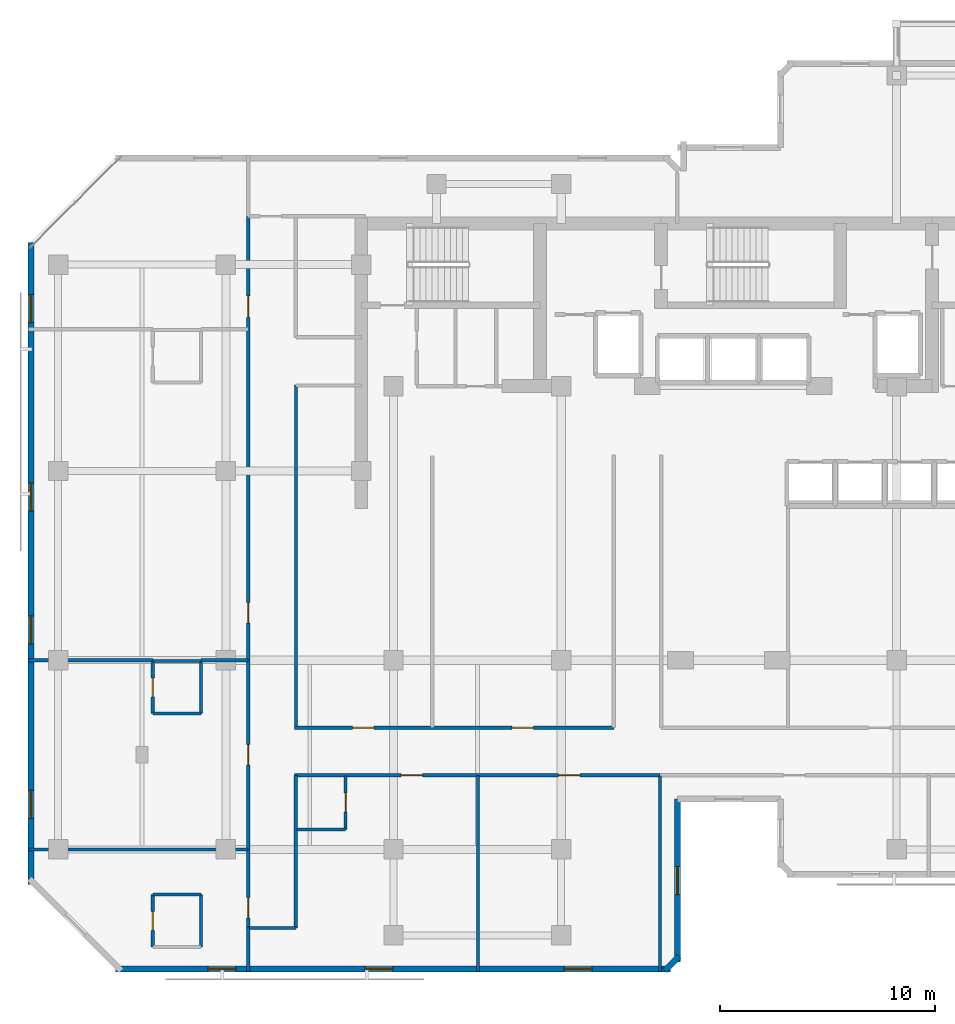
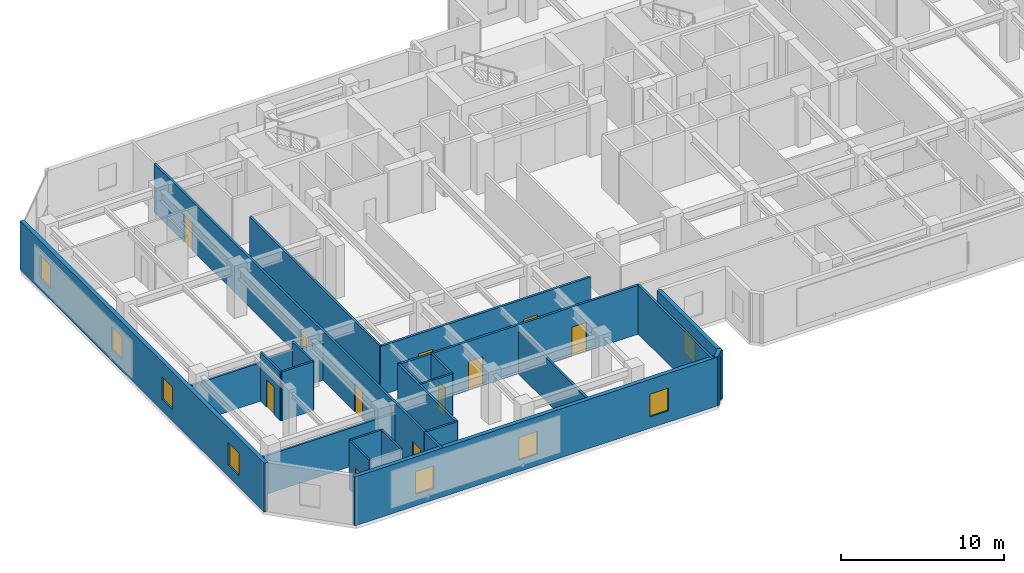
# One storey, part 4 of 10: 25 walls, 11 doors, 8 windows, 19 openings.
"""IFC4 building model written with IfcOpenShell, lengths in metres."""

from ifc_helpers import new_model, si_unit, direction, frame, frame_2d, origin, place, context, subcontext, project, spatial, rectangle, extrude, material, layer, layer_set, type_object, element, fill, save


model = new_model("IFC4")

# Units and contexts
model_context = context("Model", 3, precision=1e-05, world=origin(), true_north=direction((0.0, 1.0)))
body_context = subcontext(model_context, "Body", "Model", "MODEL_VIEW")
ifc_project = project(units=[si_unit("LENGTHUNIT", "METRE"), si_unit("AREAUNIT", "SQUARE_METRE"), si_unit("VOLUMEUNIT", "CUBIC_METRE"), si_unit("PLANEANGLEUNIT", "RADIAN"), si_unit("MASSUNIT", "GRAM", prefix="KILO")], contexts=[model_context])

# Site, building, storey
site_placement = place(None, origin())
site = spatial("IfcSite", under=ifc_project, at=site_placement, CompositionType="ELEMENT")
building_placement = place(site_placement, origin())
building = spatial("IfcBuilding", under=site, at=building_placement, Name="Kestravale Grand Hotel", CompositionType="ELEMENT")
storey_placement = place(building_placement, frame((0.0, 0.0, 220.199951171875)))
storey = spatial("IfcBuildingStorey", under=building, at=storey_placement, Name="L55", CompositionType="ELEMENT", Elevation=220.199951171875)

# Wall, openings, windows
ifc_material_1 = material(Name="Precast concrete f'c 45 MPa", Category="concrete")
ifc_layer_1 = layer(ifc_material_1, 0.280029296875)
ifc_layer_set_1 = layer_set([ifc_layer_1], Name="EW-PREC-280")
wall_type_1 = type_object("IfcWallType", Name="EW-PREC-280", PredefinedType="SOLIDWALL", material=ifc_layer_set_1)
wall_1_placement = place(storey_placement, frame((10.4599609375, 5.639892578125, 0.0), z_axis=(0.0, 0.0, 1.0), x_axis=(1.0, 0.0, 0.0)))
wall_1 = element("IfcWall", 1, at=wall_1_placement, inside=storey, type_object=wall_type_1, Name="L55 fluted precast facade wall 1", PredefinedType="SOLIDWALL", context=body_context, shape_type="SweptSolid", body=[
    extrude(rectangle(XDim=25.830078125, YDim=0.280029296875, at=frame_2d((12.9150390625, 0.0))), origin(), (0.0, 0.0, 1.0), 3.650146484375),
])
opening_1_placement = place(wall_1_placement, frame((4.304931640625, 0.0, 0.85009765625)))
opening_1 = element("IfcOpeningElement", 2, at=opening_1_placement, cuts=wall_1, Name="Opening W-GUEST-1300", PredefinedType="OPENING", context=body_context, shape_type="SweptSolid", body=[
    extrude(rectangle(XDim=1.300048828125, YDim=1.699951171875, at=frame_2d((0.64990234375, 0.85009765625))), frame((0.0, 0.14990234375, 0.0), z_axis=(0.0, -1.0, 0.0), x_axis=(1.0, 0.0, 0.0)), (0.0, 0.0, 1.0), 0.300048828125),
])
opening_2_placement = place(wall_1_placement, frame((11.614990234375, 0.0, 0.85009765625)))
opening_2 = element("IfcOpeningElement", 3, at=opening_2_placement, cuts=wall_1, Name="Opening W-GUEST-1300", PredefinedType="OPENING", context=body_context, shape_type="SweptSolid", body=[
    extrude(rectangle(XDim=1.300048828125, YDim=1.699951171875, at=frame_2d((0.64990234375, 0.85009765625))), frame((0.0, 0.14990234375, 0.0), z_axis=(0.0, -1.0, 0.0), x_axis=(1.0, 0.0, 0.0)), (0.0, 0.0, 1.0), 0.300048828125),
])
opening_3_placement = place(wall_1_placement, frame((20.875, 0.0, 0.85009765625)))
opening_3 = element("IfcOpeningElement", 4, at=opening_3_placement, cuts=wall_1, Name="Opening W-GUEST-1300", PredefinedType="OPENING", context=body_context, shape_type="SweptSolid", body=[
    extrude(rectangle(XDim=1.300048828125, YDim=1.699951171875, at=frame_2d((0.64990234375, 0.85009765625))), frame((0.0, 0.14990234375, 0.0), z_axis=(0.0, -1.0, 0.0), x_axis=(1.0, 0.0, 0.0)), (0.0, 0.0, 1.0), 0.300048828125),
])
ifc_material_2 = material(Name="Insulated low-E double glazing in aluminium frame", Category="aluminium")
window_type = type_object("IfcWindowType", Name="W-GUEST-1300", PartitioningType="SINGLE_PANEL", PredefinedType="WINDOW", material=ifc_material_2)
window_1_placement = place(opening_1_placement, origin())
window_1 = element("IfcWindow", 5, at=window_1_placement, inside=storey, type_object=window_type, Name="L55 exterior window 1.1", OverallHeight=1.699951171875, OverallWidth=1.300048828125, PartitioningType="SINGLE_PANEL", PredefinedType="WINDOW", context=body_context, shape_type="SweptSolid", body=[
    extrude(rectangle(XDim=1.300048828125, YDim=1.699951171875, at=frame_2d((0.64990234375, 0.85009765625))), frame((0.0, 0.030029296875, 0.0), z_axis=(0.0, -1.0, 0.0), x_axis=(1.0, 0.0, 0.0)), (0.0, 0.0, 1.0), 0.06005859375),
])
fill(opening_1, window_1)
window_2_placement = place(opening_2_placement, origin())
window_2 = element("IfcWindow", 6, at=window_2_placement, inside=storey, type_object=window_type, Name="L55 exterior window 1.2", OverallHeight=1.699951171875, OverallWidth=1.300048828125, PartitioningType="SINGLE_PANEL", PredefinedType="WINDOW", context=body_context, shape_type="SweptSolid", body=[
    extrude(rectangle(XDim=1.300048828125, YDim=1.699951171875, at=frame_2d((0.64990234375, 0.85009765625))), frame((0.0, 0.030029296875, 0.0), z_axis=(0.0, -1.0, 0.0), x_axis=(1.0, 0.0, 0.0)), (0.0, 0.0, 1.0), 0.06005859375),
])
fill(opening_2, window_2)
window_3_placement = place(opening_3_placement, origin())
window_3 = element("IfcWindow", 7, at=window_3_placement, inside=storey, type_object=window_type, Name="L55 exterior window 1.3", OverallHeight=1.699951171875, OverallWidth=1.300048828125, PartitioningType="SINGLE_PANEL", PredefinedType="WINDOW", context=body_context, shape_type="SweptSolid", body=[
    extrude(rectangle(XDim=1.300048828125, YDim=1.699951171875, at=frame_2d((0.64990234375, 0.85009765625))), frame((0.0, 0.030029296875, 0.0), z_axis=(0.0, -1.0, 0.0), x_axis=(1.0, 0.0, 0.0)), (0.0, 0.0, 1.0), 0.06005859375),
])
fill(opening_3, window_3)

# Wall
wall_2_placement = place(storey_placement, frame((36.022705078125, 5.57080078125, 0.0), z_axis=(0.0, 0.0, 1.0), x_axis=(0.707106781187, 0.707106781187, 0.0)))
element("IfcWall", 8, at=wall_2_placement, inside=storey, type_object=wall_type_1, Name="L55 fluted precast facade wall 2", PredefinedType="SOLIDWALL", context=body_context, shape_type="SweptSolid", body=[
    extrude(rectangle(XDim=0.928466796875, YDim=0.280029296875, at=frame_2d((0.46435546875, 0.0))), origin(), (0.0, 0.0, 1.0), 3.650146484375),
])

# Wall, opening, window
wall_3_placement = place(storey_placement, frame((36.610107421875, 5.9599609375, 0.0), z_axis=(0.0, 0.0, 1.0), x_axis=(0.0, 1.0, 0.0)))
wall_3 = element("IfcWall", 9, at=wall_3_placement, inside=storey, type_object=wall_type_1, Name="L55 fluted precast facade wall 3", PredefinedType="SOLIDWALL", context=body_context, shape_type="SweptSolid", body=[
    extrude(rectangle(XDim=7.580078125, YDim=0.280029296875, at=frame_2d((3.7900390625, 0.0))), origin(), (0.0, 0.0, 1.0), 3.650146484375),
])
opening_4_placement = place(wall_3_placement, frame((3.139892578125, 0.0, 0.85009765625)))
opening_4 = element("IfcOpeningElement", 10, at=opening_4_placement, cuts=wall_3, Name="Opening W-GUEST-1300", PredefinedType="OPENING", context=body_context, shape_type="SweptSolid", body=[
    extrude(rectangle(XDim=1.300048828125, YDim=1.699951171875, at=frame_2d((0.64990234375, 0.85009765625))), frame((0.0, 0.14990234375, 0.0), z_axis=(0.0, -1.0, 0.0), x_axis=(1.0, 0.0, 0.0)), (0.0, 0.0, 1.0), 0.300048828125),
])
window_4_placement = place(opening_4_placement, origin())
window_4 = element("IfcWindow", 11, at=window_4_placement, inside=storey, type_object=window_type, Name="L55 exterior window 3.1", OverallHeight=1.699951171875, OverallWidth=1.300048828125, PartitioningType="SINGLE_PANEL", PredefinedType="WINDOW", context=body_context, shape_type="SweptSolid", body=[
    extrude(rectangle(XDim=1.300048828125, YDim=1.699951171875, at=frame_2d((0.64990234375, 0.85009765625))), frame((0.0, 0.030029296875, 0.0), z_axis=(0.0, -1.0, 0.0), x_axis=(1.0, 0.0, 0.0)), (0.0, 0.0, 1.0), 0.06005859375),
])
fill(opening_4, window_4)

# Wall, openings, windows
wall_4_placement = place(storey_placement, frame((6.5400390625, 39.43994140625, 0.0), z_axis=(0.0, 0.0, 1.0), x_axis=(0.0, -1.0, 0.0)))
wall_4 = element("IfcWall", 12, at=wall_4_placement, inside=storey, type_object=wall_type_1, Name="L55 fluted precast facade wall 19", PredefinedType="SOLIDWALL", context=body_context, shape_type="SweptSolid", body=[
    extrude(rectangle(XDim=29.8798828125, YDim=0.280029296875, at=frame_2d((14.93994140625, 0.0))), origin(), (0.0, 0.0, 1.0), 3.650146484375),
])
opening_5_placement = place(wall_4_placement, frame((2.43505859375, 0.0, 0.85009765625)))
opening_5 = element("IfcOpeningElement", 13, at=opening_5_placement, cuts=wall_4, Name="Opening W-GUEST-1300", PredefinedType="OPENING", context=body_context, shape_type="SweptSolid", body=[
    extrude(rectangle(XDim=1.300048828125, YDim=1.699951171875, at=frame_2d((0.64990234375, 0.85009765625))), frame((0.0, 0.14990234375, 0.0), z_axis=(0.0, -1.0, 0.0), x_axis=(1.0, 0.0, 0.0)), (0.0, 0.0, 1.0), 0.300048828125),
])
opening_6_placement = place(wall_4_placement, frame((11.205078125, 0.0, 0.85009765625)))
opening_6 = element("IfcOpeningElement", 14, at=opening_6_placement, cuts=wall_4, Name="Opening W-GUEST-1300", PredefinedType="OPENING", context=body_context, shape_type="SweptSolid", body=[
    extrude(rectangle(XDim=1.300048828125, YDim=1.699951171875, at=frame_2d((0.64990234375, 0.85009765625))), frame((0.0, 0.14990234375, 0.0), z_axis=(0.0, -1.0, 0.0), x_axis=(1.0, 0.0, 0.0)), (0.0, 0.0, 1.0), 0.300048828125),
])
opening_7_placement = place(wall_4_placement, frame((17.375, 0.0, 0.85009765625)))
opening_7 = element("IfcOpeningElement", 15, at=opening_7_placement, cuts=wall_4, Name="Opening W-GUEST-1300", PredefinedType="OPENING", context=body_context, shape_type="SweptSolid", body=[
    extrude(rectangle(XDim=1.300048828125, YDim=1.699951171875, at=frame_2d((0.64990234375, 0.85009765625))), frame((0.0, 0.14990234375, 0.0), z_axis=(0.0, -1.0, 0.0), x_axis=(1.0, 0.0, 0.0)), (0.0, 0.0, 1.0), 0.300048828125),
])
opening_8_placement = place(wall_4_placement, frame((25.4951171875, 0.0, 0.85009765625)))
opening_8 = element("IfcOpeningElement", 16, at=opening_8_placement, cuts=wall_4, Name="Opening W-GUEST-1300", PredefinedType="OPENING", context=body_context, shape_type="SweptSolid", body=[
    extrude(rectangle(XDim=1.300048828125, YDim=1.699951171875, at=frame_2d((0.64990234375, 0.85009765625))), frame((0.0, 0.14990234375, 0.0), z_axis=(0.0, -1.0, 0.0), x_axis=(1.0, 0.0, 0.0)), (0.0, 0.0, 1.0), 0.300048828125),
])
window_5_placement = place(opening_5_placement, origin())
window_5 = element("IfcWindow", 17, at=window_5_placement, inside=storey, type_object=window_type, Name="L55 exterior window 19.1", OverallHeight=1.699951171875, OverallWidth=1.300048828125, PartitioningType="SINGLE_PANEL", PredefinedType="WINDOW", context=body_context, shape_type="SweptSolid", body=[
    extrude(rectangle(XDim=1.300048828125, YDim=1.699951171875, at=frame_2d((0.64990234375, 0.85009765625))), frame((0.0, 0.030029296875, 0.0), z_axis=(0.0, -1.0, 0.0), x_axis=(1.0, 0.0, 0.0)), (0.0, 0.0, 1.0), 0.06005859375),
])
fill(opening_5, window_5)
window_6_placement = place(opening_6_placement, origin())
window_6 = element("IfcWindow", 18, at=window_6_placement, inside=storey, type_object=window_type, Name="L55 exterior window 19.2", OverallHeight=1.699951171875, OverallWidth=1.300048828125, PartitioningType="SINGLE_PANEL", PredefinedType="WINDOW", context=body_context, shape_type="SweptSolid", body=[
    extrude(rectangle(XDim=1.300048828125, YDim=1.699951171875, at=frame_2d((0.64990234375, 0.85009765625))), frame((0.0, 0.030029296875, 0.0), z_axis=(0.0, -1.0, 0.0), x_axis=(1.0, 0.0, 0.0)), (0.0, 0.0, 1.0), 0.06005859375),
])
fill(opening_6, window_6)
window_7_placement = place(opening_7_placement, origin())
window_7 = element("IfcWindow", 19, at=window_7_placement, inside=storey, type_object=window_type, Name="L55 exterior window 19.3", OverallHeight=1.699951171875, OverallWidth=1.300048828125, PartitioningType="SINGLE_PANEL", PredefinedType="WINDOW", context=body_context, shape_type="SweptSolid", body=[
    extrude(rectangle(XDim=1.300048828125, YDim=1.699951171875, at=frame_2d((0.64990234375, 0.85009765625))), frame((0.0, 0.030029296875, 0.0), z_axis=(0.0, -1.0, 0.0), x_axis=(1.0, 0.0, 0.0)), (0.0, 0.0, 1.0), 0.06005859375),
])
fill(opening_7, window_7)
window_8_placement = place(opening_8_placement, origin())
window_8 = element("IfcWindow", 20, at=window_8_placement, inside=storey, type_object=window_type, Name="L55 exterior window 19.4", OverallHeight=1.699951171875, OverallWidth=1.300048828125, PartitioningType="SINGLE_PANEL", PredefinedType="WINDOW", context=body_context, shape_type="SweptSolid", body=[
    extrude(rectangle(XDim=1.300048828125, YDim=1.699951171875, at=frame_2d((0.64990234375, 0.85009765625))), frame((0.0, 0.030029296875, 0.0), z_axis=(0.0, -1.0, 0.0), x_axis=(1.0, 0.0, 0.0)), (0.0, 0.0, 1.0), 0.06005859375),
])
fill(opening_8, window_8)

# Wall, openings, doors
ifc_material_3 = material(Name="Acoustic fire-rated gypsum board partition", Category="other")
ifc_layer_2 = layer(ifc_material_3, 0.159912109375)
ifc_layer_set_2 = layer_set([ifc_layer_2], Name="IW-CORR-160")
wall_type_2 = type_object("IfcWallType", Name="IW-CORR-160", PredefinedType="PARTITIONING", material=ifc_layer_set_2)
wall_5_placement = place(storey_placement, frame((18.800048828125, 16.860107421875, 0.0), z_axis=(0.0, 0.0, 1.0), x_axis=(1.0, 0.0, 0.0)))
wall_5 = element("IfcWall", 21, at=wall_5_placement, inside=storey, type_object=wall_type_2, Name="W-L55-CW-N", PredefinedType="PARTITIONING", context=body_context, shape_type="SweptSolid", body=[
    extrude(rectangle(XDim=14.849853515625, YDim=0.159912109375, at=frame_2d((7.4248046875, 0.0))), origin(), (0.0, 0.0, 1.0), 3.650146484375),
])
opening_9_placement = place(wall_5_placement, frame((2.699951171875, 0.0, 0.0)))
opening_9 = element("IfcOpeningElement", 22, at=opening_9_placement, cuts=wall_5, Name="Opening D-GUEST-1000", PredefinedType="OPENING", context=body_context, shape_type="SweptSolid", body=[
    extrude(rectangle(XDim=1.0, YDim=2.14990234375, at=frame_2d((0.5, 1.074951171875))), frame((0.0, 0.08984375, 0.0), z_axis=(0.0, -1.0, 0.0), x_axis=(1.0, 0.0, 0.0)), (0.0, 0.0, 1.0), 0.179931640625),
])
opening_10_placement = place(wall_5_placement, frame((10.10009765625, 0.0, 0.0)))
opening_10 = element("IfcOpeningElement", 23, at=opening_10_placement, cuts=wall_5, Name="Opening D-GUEST-1000", PredefinedType="OPENING", context=body_context, shape_type="SweptSolid", body=[
    extrude(rectangle(XDim=1.0, YDim=2.14990234375, at=frame_2d((0.5, 1.074951171875))), frame((0.0, 0.08984375, 0.0), z_axis=(0.0, -1.0, 0.0), x_axis=(1.0, 0.0, 0.0)), (0.0, 0.0, 1.0), 0.179931640625),
])
ifc_material_4 = material(Name="Accessible walnut veneer hotel entrance fire door", Category="wood")
door_type_1 = type_object("IfcDoorType", Name="D-GUEST-1000", OperationType="NOTDEFINED", PredefinedType="DOOR", material=ifc_material_4)
door_1_placement = place(opening_9_placement, origin())
door_1 = element("IfcDoor", 24, at=door_1_placement, inside=storey, type_object=door_type_1, Name="D-L55-RECL-W1", OperationType="SINGLE_SWING_LEFT", OverallHeight=2.14990234375, OverallWidth=1.0, PredefinedType="DOOR", context=body_context, shape_type="SweptSolid", body=[
    extrude(rectangle(XDim=1.0, YDim=2.14990234375, at=frame_2d((0.5, 1.074951171875))), frame((0.0, 0.02490234375, 0.0), z_axis=(0.0, -1.0, 0.0), x_axis=(1.0, 0.0, 0.0)), (0.0, 0.0, 1.0), 0.050048828125),
])
fill(opening_9, door_1)
door_2_placement = place(opening_10_placement, origin())
door_2 = element("IfcDoor", 25, at=door_2_placement, inside=storey, type_object=door_type_1, Name="D-L55-RECL-W2", OperationType="SINGLE_SWING_RIGHT", OverallHeight=2.14990234375, OverallWidth=1.0, PredefinedType="DOOR", context=body_context, shape_type="SweptSolid", body=[
    extrude(rectangle(XDim=1.0, YDim=2.14990234375, at=frame_2d((0.5, 1.074951171875))), frame((0.0, 0.02490234375, 0.0), z_axis=(0.0, -1.0, 0.0), x_axis=(1.0, 0.0, 0.0)), (0.0, 0.0, 1.0), 0.050048828125),
])
fill(opening_10, door_2)

wall_6_placement = place(storey_placement, frame((18.800048828125, 14.639892578125, 0.0), z_axis=(0.0, 0.0, 1.0), x_axis=(1.0, 0.0, 0.0)))
wall_6 = element("IfcWall", 26, at=wall_6_placement, inside=storey, type_object=wall_type_2, Name="W-L55-CW-S", PredefinedType="PARTITIONING", context=body_context, shape_type="SweptSolid", body=[
    extrude(rectangle(XDim=17.0, YDim=0.159912109375, at=frame_2d((8.5, 0.0))), origin(), (0.0, 0.0, 1.0), 3.650146484375),
])
opening_11_placement = place(wall_6_placement, frame((4.949951171875, 0.0, 0.0)))
opening_11 = element("IfcOpeningElement", 27, at=opening_11_placement, cuts=wall_6, Name="Opening D-GUEST-1000", PredefinedType="OPENING", context=body_context, shape_type="SweptSolid", body=[
    extrude(rectangle(XDim=1.0, YDim=2.14990234375, at=frame_2d((0.5, 1.074951171875))), frame((0.0, 0.08984375, 0.0), z_axis=(0.0, -1.0, 0.0), x_axis=(1.0, 0.0, 0.0)), (0.0, 0.0, 1.0), 0.179931640625),
])
opening_12_placement = place(wall_6_placement, frame((12.264892578125, 0.0, 0.0)))
opening_12 = element("IfcOpeningElement", 28, at=opening_12_placement, cuts=wall_6, Name="Opening D-GUEST-1000", PredefinedType="OPENING", context=body_context, shape_type="SweptSolid", body=[
    extrude(rectangle(XDim=1.0, YDim=2.14990234375, at=frame_2d((0.5, 1.074951171875))), frame((0.0, 0.08984375, 0.0), z_axis=(0.0, -1.0, 0.0), x_axis=(1.0, 0.0, 0.0)), (0.0, 0.0, 1.0), 0.179931640625),
])
door_3_placement = place(opening_11_placement, origin())
door_3 = element("IfcDoor", 29, at=door_3_placement, inside=storey, type_object=door_type_1, Name="D-L55-U01-ENT", OperationType="SINGLE_SWING_RIGHT", OverallHeight=2.14990234375, OverallWidth=1.0, PredefinedType="DOOR", context=body_context, shape_type="SweptSolid", body=[
    extrude(rectangle(XDim=1.0, YDim=2.14990234375, at=frame_2d((0.5, 1.074951171875))), frame((0.0, 0.02490234375, 0.0), z_axis=(0.0, -1.0, 0.0), x_axis=(1.0, 0.0, 0.0)), (0.0, 0.0, 1.0), 0.050048828125),
])
fill(opening_11, door_3)
door_4_placement = place(opening_12_placement, origin())
door_4 = element("IfcDoor", 30, at=door_4_placement, inside=storey, type_object=door_type_1, Name="D-L55-AMW", OperationType="SINGLE_SWING_LEFT", OverallHeight=2.14990234375, OverallWidth=1.0, PredefinedType="DOOR", context=body_context, shape_type="SweptSolid", body=[
    extrude(rectangle(XDim=1.0, YDim=2.14990234375, at=frame_2d((0.5, 1.074951171875))), frame((0.0, 0.02490234375, 0.0), z_axis=(0.0, -1.0, 0.0), x_axis=(1.0, 0.0, 0.0)), (0.0, 0.0, 1.0), 0.050048828125),
])
fill(opening_12, door_4)

wall_7_placement = place(storey_placement, frame((16.639892578125, 7.550048828125, 0.0), z_axis=(0.0, 0.0, 1.0), x_axis=(0.0, 1.0, 0.0)))
wall_7 = element("IfcWall", 31, at=wall_7_placement, inside=storey, type_object=wall_type_2, Name="W-L55-SW-W", PredefinedType="PARTITIONING", context=body_context, shape_type="SweptSolid", body=[
    extrude(rectangle(XDim=33.099853515625, YDim=0.159912109375, at=frame_2d((16.5498046875, 0.0))), origin(), (0.0, 0.0, 1.0), 3.650146484375),
])
opening_13_placement = place(wall_7_placement, frame((0.4599609375, 0.0, 0.0)))
opening_13 = element("IfcOpeningElement", 32, at=opening_13_placement, cuts=wall_7, Name="Opening D-GUEST-950", PredefinedType="OPENING", context=body_context, shape_type="SweptSolid", body=[
    extrude(rectangle(XDim=0.949951171875, YDim=2.10009765625, at=frame_2d((0.47509765625, 1.050048828125))), frame((0.0, 0.08984375, 0.0), z_axis=(0.0, -1.0, 0.0), x_axis=(1.0, 0.0, 0.0)), (0.0, 0.0, 1.0), 0.179931640625),
])
opening_14_placement = place(wall_7_placement, frame((7.574951171875, 0.0, 0.0)))
opening_14 = element("IfcOpeningElement", 33, at=opening_14_placement, cuts=wall_7, Name="Opening D-GUEST-950", PredefinedType="OPENING", context=body_context, shape_type="SweptSolid", body=[
    extrude(rectangle(XDim=0.949951171875, YDim=2.10009765625, at=frame_2d((0.47509765625, 1.050048828125))), frame((0.0, 0.08984375, 0.0), z_axis=(0.0, -1.0, 0.0), x_axis=(1.0, 0.0, 0.0)), (0.0, 0.0, 1.0), 0.179931640625),
])
opening_15_placement = place(wall_7_placement, frame((14.178466796875, 0.0, 0.0)))
opening_15 = element("IfcOpeningElement", 34, at=opening_15_placement, cuts=wall_7, Name="Opening D-GUEST-950", PredefinedType="OPENING", context=body_context, shape_type="SweptSolid", body=[
    extrude(rectangle(XDim=0.949951171875, YDim=2.10009765625, at=frame_2d((0.47509765625, 1.050048828125))), frame((0.0, 0.08984375, 0.0), z_axis=(0.0, -1.0, 0.0), x_axis=(1.0, 0.0, 0.0)), (0.0, 0.0, 1.0), 0.179931640625),
])
opening_16_placement = place(wall_7_placement, frame((28.39990234375, 0.0, 0.0)))
opening_16 = element("IfcOpeningElement", 35, at=opening_16_placement, cuts=wall_7, Name="Opening D-GUEST-1000", PredefinedType="OPENING", context=body_context, shape_type="SweptSolid", body=[
    extrude(rectangle(XDim=1.0, YDim=2.14990234375, at=frame_2d((0.5, 1.074951171875))), frame((0.0, 0.08984375, 0.0), z_axis=(0.0, -1.0, 0.0), x_axis=(1.0, 0.0, 0.0)), (0.0, 0.0, 1.0), 0.179931640625),
])
door_5_placement = place(opening_16_placement, origin())
door_5 = element("IfcDoor", 36, at=door_5_placement, inside=storey, type_object=door_type_1, Name="D-L55-AMWW", OperationType="SINGLE_SWING_LEFT", OverallHeight=2.14990234375, OverallWidth=1.0, PredefinedType="DOOR", context=body_context, shape_type="SweptSolid", body=[
    extrude(rectangle(XDim=1.0, YDim=2.14990234375, at=frame_2d((0.5, 1.074951171875))), frame((0.0, 0.02490234375, 0.0), z_axis=(0.0, -1.0, 0.0), x_axis=(1.0, 0.0, 0.0)), (0.0, 0.0, 1.0), 0.050048828125),
])
fill(opening_16, door_5)
ifc_material_5 = material(Name="Walnut veneer hotel guestroom entrance fire door", Category="wood")
door_type_2 = type_object("IfcDoorType", Name="D-GUEST-950", OperationType="NOTDEFINED", PredefinedType="DOOR", material=ifc_material_5)
door_6_placement = place(opening_13_placement, origin())
door_6 = element("IfcDoor", 37, at=door_6_placement, inside=storey, type_object=door_type_2, Name="D-L55-U02-ENT", OperationType="SINGLE_SWING_RIGHT", OverallHeight=2.10009765625, OverallWidth=0.949951171875, PredefinedType="DOOR", context=body_context, shape_type="SweptSolid", body=[
    extrude(rectangle(XDim=0.949951171875, YDim=2.10009765625, at=frame_2d((0.47509765625, 1.050048828125))), frame((0.0, 0.02490234375, 0.0), z_axis=(0.0, -1.0, 0.0), x_axis=(1.0, 0.0, 0.0)), (0.0, 0.0, 1.0), 0.050048828125),
])
fill(opening_13, door_6)
door_7_placement = place(opening_14_placement, origin())
door_7 = element("IfcDoor", 38, at=door_7_placement, inside=storey, type_object=door_type_2, Name="D-L55-U03-ENT", OperationType="SINGLE_SWING_RIGHT", OverallHeight=2.10009765625, OverallWidth=0.949951171875, PredefinedType="DOOR", context=body_context, shape_type="SweptSolid", body=[
    extrude(rectangle(XDim=0.949951171875, YDim=2.10009765625, at=frame_2d((0.47509765625, 1.050048828125))), frame((0.0, 0.02490234375, 0.0), z_axis=(0.0, -1.0, 0.0), x_axis=(1.0, 0.0, 0.0)), (0.0, 0.0, 1.0), 0.050048828125),
])
fill(opening_14, door_7)
door_8_placement = place(opening_15_placement, origin())
door_8 = element("IfcDoor", 39, at=door_8_placement, inside=storey, type_object=door_type_2, Name="D-L55-U04-ENT", OperationType="SINGLE_SWING_RIGHT", OverallHeight=2.10009765625, OverallWidth=0.949951171875, PredefinedType="DOOR", context=body_context, shape_type="SweptSolid", body=[
    extrude(rectangle(XDim=0.949951171875, YDim=2.10009765625, at=frame_2d((0.47509765625, 1.050048828125))), frame((0.0, 0.02490234375, 0.0), z_axis=(0.0, -1.0, 0.0), x_axis=(1.0, 0.0, 0.0)), (0.0, 0.0, 1.0), 0.050048828125),
])
fill(opening_15, door_8)

# Wall
wall_8_placement = place(storey_placement, frame((18.860107421875, 7.550048828125, 0.0), z_axis=(0.0, 0.0, 1.0), x_axis=(0.0, 1.0, 0.0)))
element("IfcWall", 40, at=wall_8_placement, inside=storey, type_object=wall_type_2, Name="W-L55-SW-E", PredefinedType="PARTITIONING", context=body_context, shape_type="SweptSolid", body=[
    extrude(rectangle(XDim=7.08984375, YDim=0.159912109375, at=frame_2d((3.544921875, 0.0))), origin(), (0.0, 0.0, 1.0), 3.650146484375),
])

# Wall, opening, door
ifc_material_6 = material(Name="Moisture-resistant tile-backer plumbing chase wall", Category="other")
ifc_layer_3 = layer(ifc_material_6, 0.139892578125)
ifc_layer_set_3 = layer_set([ifc_layer_3], Name="IW-PLB-140")
wall_type_3 = type_object("IfcWallType", Name="IW-PLB-140", PredefinedType="PLUMBINGWALL", material=ifc_layer_set_3)
wall_9_placement = place(storey_placement, frame((21.169921875, 12.1298828125, 0.0), z_axis=(0.0, 0.0, 1.0), x_axis=(0.0, 1.0, 0.0)))
wall_9 = element("IfcWall", 41, at=wall_9_placement, inside=storey, type_object=wall_type_3, Name="W-L55-U01-BE", PredefinedType="PLUMBINGWALL", context=body_context, shape_type="SweptSolid", body=[
    extrude(rectangle(XDim=2.490234375, YDim=0.139892578125, at=frame_2d((1.2451171875, 0.0))), origin(), (0.0, 0.0, 1.0), 3.650146484375),
])
opening_17_placement = place(wall_9_placement, frame((0.804931640625, 0.0, 0.0)))
opening_17 = element("IfcOpeningElement", 42, at=opening_17_placement, cuts=wall_9, Name="Opening D-BATH-880", PredefinedType="OPENING", context=body_context, shape_type="SweptSolid", body=[
    extrude(rectangle(XDim=0.8798828125, YDim=2.050048828125, at=frame_2d((0.43994140625, 1.02490234375))), frame((0.0, 0.079833984375, 0.0), z_axis=(0.0, -1.0, 0.0), x_axis=(1.0, 0.0, 0.0)), (0.0, 0.0, 1.0), 0.159912109375),
])
ifc_material_7 = material(Name="Moisture-sealed walnut en-suite bathroom door", Category="wood")
door_type_3 = type_object("IfcDoorType", Name="D-BATH-880", OperationType="NOTDEFINED", PredefinedType="DOOR", material=ifc_material_7)
door_9_placement = place(opening_17_placement, origin())
door_9 = element("IfcDoor", 43, at=door_9_placement, inside=storey, type_object=door_type_3, Name="D-L55-U01-BATH", OperationType="SINGLE_SWING_LEFT", OverallHeight=2.050048828125, OverallWidth=0.8798828125, PredefinedType="DOOR", context=body_context, shape_type="SweptSolid", body=[
    extrude(rectangle(XDim=0.8798828125, YDim=2.050048828125, at=frame_2d((0.43994140625, 1.02490234375))), frame((0.0, 0.02490234375, 0.0), z_axis=(0.0, -1.0, 0.0), x_axis=(1.0, 0.0, 0.0)), (0.0, 0.0, 1.0), 0.050048828125),
])
fill(opening_17, door_9)

# Wall
wall_10_placement = place(storey_placement, frame((18.919921875, 12.1298828125, 0.0), z_axis=(0.0, 0.0, 1.0), x_axis=(1.0, 0.0, 0.0)))
element("IfcWall", 44, at=wall_10_placement, inside=storey, type_object=wall_type_3, Name="W-L55-U01-BS", PredefinedType="PLUMBINGWALL", context=body_context, shape_type="SweptSolid", body=[
    extrude(rectangle(XDim=2.25, YDim=0.139892578125, at=frame_2d((1.125, 0.0))), origin(), (0.0, 0.0, 1.0), 3.650146484375),
])

# Wall, opening, door
wall_11_placement = place(storey_placement, frame((12.199951171875, 6.64990234375, 0.0), z_axis=(0.0, 0.0, 1.0), x_axis=(0.0, 1.0, 0.0)))
wall_11 = element("IfcWall", 45, at=wall_11_placement, inside=storey, type_object=wall_type_3, Name="W-L55-U02-BW", PredefinedType="PLUMBINGWALL", context=body_context, shape_type="SweptSolid", body=[
    extrude(rectangle(XDim=2.4501953125, YDim=0.139892578125, at=frame_2d((1.22509765625, 0.0))), origin(), (0.0, 0.0, 1.0), 3.650146484375),
])
opening_18_placement = place(wall_11_placement, frame((0.784912109375, 0.0, 0.0)))
opening_18 = element("IfcOpeningElement", 46, at=opening_18_placement, cuts=wall_11, Name="Opening D-BATH-880", PredefinedType="OPENING", context=body_context, shape_type="SweptSolid", body=[
    extrude(rectangle(XDim=0.8798828125, YDim=2.050048828125, at=frame_2d((0.43994140625, 1.02490234375))), frame((0.0, 0.079833984375, 0.0), z_axis=(0.0, -1.0, 0.0), x_axis=(1.0, 0.0, 0.0)), (0.0, 0.0, 1.0), 0.159912109375),
])
door_10_placement = place(opening_18_placement, origin())
door_10 = element("IfcDoor", 47, at=door_10_placement, inside=storey, type_object=door_type_3, Name="D-L55-U02-BATH", OperationType="SINGLE_SWING_LEFT", OverallHeight=2.050048828125, OverallWidth=0.8798828125, PredefinedType="DOOR", context=body_context, shape_type="SweptSolid", body=[
    extrude(rectangle(XDim=0.8798828125, YDim=2.050048828125, at=frame_2d((0.43994140625, 1.02490234375))), frame((0.0, 0.02490234375, 0.0), z_axis=(0.0, -1.0, 0.0), x_axis=(1.0, 0.0, 0.0)), (0.0, 0.0, 1.0), 0.050048828125),
])
fill(opening_18, door_10)

# Walls
wall_12_placement = place(storey_placement, frame((14.449951171875, 6.64990234375, 0.0), z_axis=(0.0, 0.0, 1.0), x_axis=(0.0, 1.0, 0.0)))
element("IfcWall", 48, at=wall_12_placement, inside=storey, type_object=wall_type_3, Name="W-L55-U02-BE", PredefinedType="PLUMBINGWALL", context=body_context, shape_type="SweptSolid", body=[
    extrude(rectangle(XDim=2.4501953125, YDim=0.139892578125, at=frame_2d((1.22509765625, 0.0))), origin(), (0.0, 0.0, 1.0), 3.650146484375),
])
wall_13_placement = place(storey_placement, frame((12.199951171875, 9.10009765625, 0.0), z_axis=(0.0, 0.0, 1.0), x_axis=(1.0, 0.0, 0.0)))
element("IfcWall", 49, at=wall_13_placement, inside=storey, type_object=wall_type_3, Name="W-L55-U02-BN", PredefinedType="PLUMBINGWALL", context=body_context, shape_type="SweptSolid", body=[
    extrude(rectangle(XDim=2.25, YDim=0.139892578125, at=frame_2d((1.125, 0.0))), origin(), (0.0, 0.0, 1.0), 3.650146484375),
])

# Wall, opening, door
wall_14_placement = place(storey_placement, frame((12.199951171875, 17.510009765625, 0.0), z_axis=(0.0, 0.0, 1.0), x_axis=(0.0, 1.0, 0.0)))
wall_14 = element("IfcWall", 50, at=wall_14_placement, inside=storey, type_object=wall_type_3, Name="W-L55-U03-BW", PredefinedType="PLUMBINGWALL", context=body_context, shape_type="SweptSolid", body=[
    extrude(rectangle(XDim=2.449951171875, YDim=0.139892578125, at=frame_2d((1.22509765625, 0.0))), origin(), (0.0, 0.0, 1.0), 3.650146484375),
])
opening_19_placement = place(wall_14_placement, frame((0.784912109375, 0.0, 0.0)))
opening_19 = element("IfcOpeningElement", 51, at=opening_19_placement, cuts=wall_14, Name="Opening D-BATH-880", PredefinedType="OPENING", context=body_context, shape_type="SweptSolid", body=[
    extrude(rectangle(XDim=0.8798828125, YDim=2.050048828125, at=frame_2d((0.43994140625, 1.02490234375))), frame((0.0, 0.079833984375, 0.0), z_axis=(0.0, -1.0, 0.0), x_axis=(1.0, 0.0, 0.0)), (0.0, 0.0, 1.0), 0.159912109375),
])
door_11_placement = place(opening_19_placement, origin())
door_11 = element("IfcDoor", 52, at=door_11_placement, inside=storey, type_object=door_type_3, Name="D-L55-U03-BATH", OperationType="SINGLE_SWING_LEFT", OverallHeight=2.050048828125, OverallWidth=0.8798828125, PredefinedType="DOOR", context=body_context, shape_type="SweptSolid", body=[
    extrude(rectangle(XDim=0.8798828125, YDim=2.050048828125, at=frame_2d((0.43994140625, 1.02490234375))), frame((0.0, 0.02490234375, 0.0), z_axis=(0.0, -1.0, 0.0), x_axis=(1.0, 0.0, 0.0)), (0.0, 0.0, 1.0), 0.050048828125),
])
fill(opening_19, door_11)

# Walls
wall_15_placement = place(storey_placement, frame((14.449951171875, 17.510009765625, 0.0), z_axis=(0.0, 0.0, 1.0), x_axis=(0.0, 1.0, 0.0)))
element("IfcWall", 53, at=wall_15_placement, inside=storey, type_object=wall_type_3, Name="W-L55-U03-BE", PredefinedType="PLUMBINGWALL", context=body_context, shape_type="SweptSolid", body=[
    extrude(rectangle(XDim=2.449951171875, YDim=0.139892578125, at=frame_2d((1.22509765625, 0.0))), origin(), (0.0, 0.0, 1.0), 3.650146484375),
])
wall_16_placement = place(storey_placement, frame((12.199951171875, 17.510009765625, 0.0), z_axis=(0.0, 0.0, 1.0), x_axis=(1.0, 0.0, 0.0)))
element("IfcWall", 54, at=wall_16_placement, inside=storey, type_object=wall_type_3, Name="W-L55-U03-BS", PredefinedType="PLUMBINGWALL", context=body_context, shape_type="SweptSolid", body=[
    extrude(rectangle(XDim=2.25, YDim=0.139892578125, at=frame_2d((1.125, 0.0))), origin(), (0.0, 0.0, 1.0), 3.650146484375),
])
wall_17_placement = place(storey_placement, frame((12.199951171875, 19.9599609375, 0.0), z_axis=(0.0, 0.0, 1.0), x_axis=(1.0, 0.0, 0.0)))
element("IfcWall", 55, at=wall_17_placement, inside=storey, type_object=wall_type_3, Name="W-L55-U03-BN", PredefinedType="PLUMBINGWALL", context=body_context, shape_type="SweptSolid", body=[
    extrude(rectangle(XDim=2.25, YDim=0.139892578125, at=frame_2d((1.125, 0.0))), origin(), (0.0, 0.0, 1.0), 3.0380859375),
])
ifc_material_8 = material(Name="Double-stud STC 52 acoustic demising partition", Category="other")
ifc_layer_4 = layer(ifc_material_8, 0.14990234375)
ifc_layer_set_4 = layer_set([ifc_layer_4], Name="IW-UNIT-150")
wall_type_4 = type_object("IfcWallType", Name="IW-UNIT-150", PredefinedType="PARTITIONING", material=ifc_layer_set_4)
wall_18_placement = place(storey_placement, frame((16.639892578125, 7.550048828125, 0.0), z_axis=(0.0, 0.0, 1.0), x_axis=(1.0, 0.0, 0.0)))
element("IfcWall", 56, at=wall_18_placement, inside=storey, type_object=wall_type_4, Name="W-L55-SW-S", PredefinedType="PARTITIONING", context=body_context, shape_type="SweptSolid", body=[
    extrude(rectangle(XDim=2.22021484375, YDim=0.14990234375, at=frame_2d((1.110107421875, 0.0))), origin(), (0.0, 0.0, 1.0), 3.650146484375),
])
wall_19_placement = place(storey_placement, frame((18.860107421875, 16.860107421875, 0.0), z_axis=(0.0, 0.0, 1.0), x_axis=(0.0, 1.0, 0.0)))
element("IfcWall", 57, at=wall_19_placement, inside=storey, type_object=wall_type_4, Name="W-L55-RCLW-W", PredefinedType="PARTITIONING", context=body_context, shape_type="SweptSolid", body=[
    extrude(rectangle(XDim=15.93994140625, YDim=0.14990234375, at=frame_2d((7.969970703125, 0.0))), origin(), (0.0, 0.0, 1.0), 3.650146484375),
])
wall_20_placement = place(storey_placement, frame((27.330078125, 5.52001953125, 0.0), z_axis=(0.0, 0.0, 1.0), x_axis=(0.0, 1.0, 0.0)))
element("IfcWall", 58, at=wall_20_placement, inside=storey, type_object=wall_type_4, Name="W-L55-WS-1", PredefinedType="PARTITIONING", context=body_context, shape_type="SweptSolid", body=[
    extrude(rectangle(XDim=9.119873046875, YDim=0.14990234375, at=frame_2d((4.56005859375, 0.0))), origin(), (0.0, 0.0, 1.0), 3.24609375),
])
wall_21_placement = place(storey_placement, frame((35.800048828125, 5.52001953125, 0.0), z_axis=(0.0, 0.0, 1.0), x_axis=(0.0, 1.0, 0.0)))
element("IfcWall", 59, at=wall_21_placement, inside=storey, type_object=wall_type_4, Name="W-L55-MID-S", PredefinedType="PARTITIONING", context=body_context, shape_type="SweptSolid", body=[
    extrude(rectangle(XDim=9.10009765625, YDim=0.14990234375, at=frame_2d((4.550048828125, 0.0))), origin(), (0.0, 0.0, 1.0), 3.650146484375),
])
wall_22_placement = place(storey_placement, frame((16.639892578125, 5.52001953125, 0.0), z_axis=(0.0, 0.0, 1.0), x_axis=(0.0, 1.0, 0.0)))
element("IfcWall", 60, at=wall_22_placement, inside=storey, type_object=wall_type_4, Name="W-L55-SW-EXT", PredefinedType="PARTITIONING", context=body_context, shape_type="SweptSolid", body=[
    extrude(rectangle(XDim=2.030029296875, YDim=0.14990234375, at=frame_2d((1.01513671875, 0.0))), origin(), (0.0, 0.0, 1.0), 3.650146484375),
])
wall_23_placement = place(storey_placement, frame((6.419921875, 11.199951171875, 0.0), z_axis=(0.0, 0.0, 1.0), x_axis=(1.0, 0.0, 0.0)))
element("IfcWall", 61, at=wall_23_placement, inside=storey, type_object=wall_type_4, Name="W-L55-WW-1", PredefinedType="PARTITIONING", context=body_context, shape_type="SweptSolid", body=[
    extrude(rectangle(XDim=10.219970703125, YDim=0.14990234375, at=frame_2d((5.10986328125, 0.0))), origin(), (0.0, 0.0, 1.0), 2.8779296875),
])
wall_24_placement = place(storey_placement, frame((6.419921875, 20.0, 0.0), z_axis=(0.0, 0.0, 1.0), x_axis=(1.0, 0.0, 0.0)))
element("IfcWall", 62, at=wall_24_placement, inside=storey, type_object=wall_type_4, Name="W-L55-WW-2", PredefinedType="PARTITIONING", context=body_context, shape_type="SweptSolid", body=[
    extrude(rectangle(XDim=5.780029296875, YDim=0.14990234375, at=frame_2d((2.89013671875, 0.0))), origin(), (0.0, 0.0, 1.0), 2.8779296875),
])
wall_25_placement = place(storey_placement, frame((14.449951171875, 20.0, 0.0), z_axis=(0.0, 0.0, 1.0), x_axis=(1.0, 0.0, 0.0)))
element("IfcWall", 63, at=wall_25_placement, inside=storey, type_object=wall_type_4, Name="W-L55-WW-2", PredefinedType="PARTITIONING", context=body_context, shape_type="SweptSolid", body=[
    extrude(rectangle(XDim=2.18994140625, YDim=0.14990234375, at=frame_2d((1.094970703125, 0.0))), origin(), (0.0, 0.0, 1.0), 2.8779296875),
])

save(model, "model.ifc")
